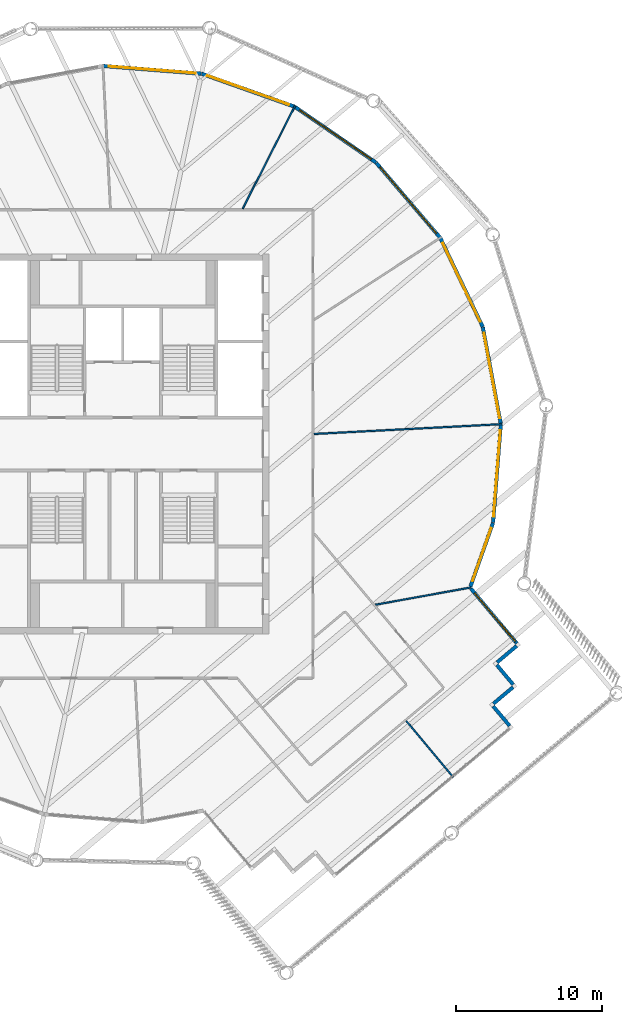
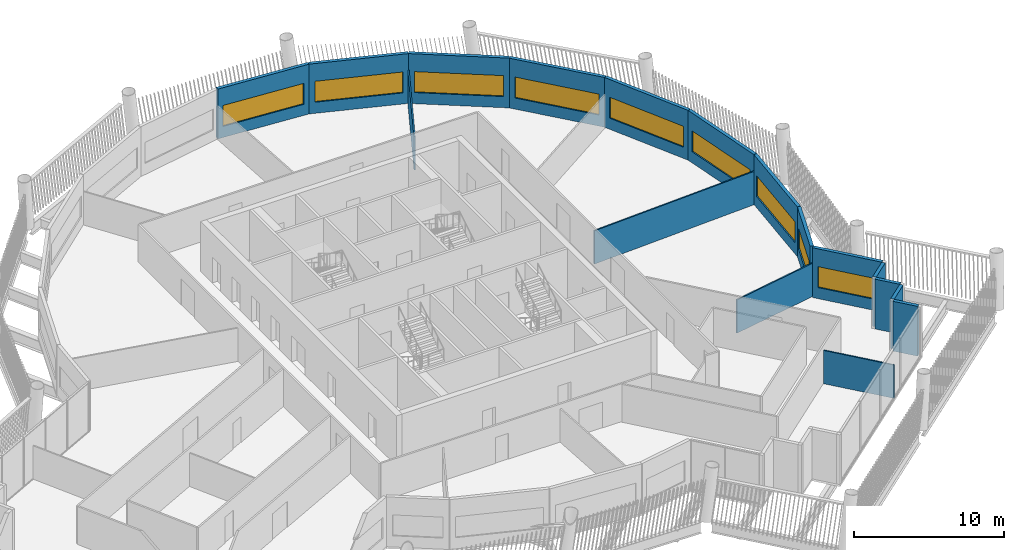
# One storey, part 23 of 31: 17 walls, 9 windows, 9 openings.
"""IFC4 building model written with IfcOpenShell, lengths in metres."""

from ifc_helpers import new_model, si_unit, direction, frame, frame_2d, origin, place, context, subcontext, project, spatial, rectangle, extrude, material, layer, layer_set, type_object, element, fill, save


model = new_model("IFC4")

# Units and contexts
model_context = context("Model", 3, precision=1e-05, world=origin(), true_north=direction((0.0, 1.0)))
body_context = subcontext(model_context, "Body", "Model", "MODEL_VIEW")
ifc_project = project(units=[si_unit("LENGTHUNIT", "METRE"), si_unit("AREAUNIT", "SQUARE_METRE"), si_unit("VOLUMEUNIT", "CUBIC_METRE"), si_unit("PLANEANGLEUNIT", "RADIAN"), si_unit("MASSUNIT", "GRAM", prefix="KILO")], contexts=[model_context])

# Site, building, storey
site_placement = place(None, origin())
site = spatial("IfcSite", under=ifc_project, at=site_placement, CompositionType="ELEMENT")
building_placement = place(site_placement, origin())
building = spatial("IfcBuilding", under=site, at=building_placement, Name="Tarsis Ring Headquarters", CompositionType="ELEMENT")
storey_placement = place(building_placement, frame((0.0, 0.0, 390.199951171875)))
storey = spatial("IfcBuildingStorey", under=building, at=storey_placement, Name="L92", CompositionType="ELEMENT", Elevation=390.199951171875)

# Walls
ifc_material_1 = material(Name="Gypsum board on steel studs", Category="steel")
ifc_layer_1 = layer(ifc_material_1, 0.10009765625)
ifc_layer_set_1 = layer_set([ifc_layer_1], Name="FL partition 100 unrated")
wall_type_1 = type_object("IfcWallType", Name="FL partition 100 unrated", PredefinedType="PARTITIONING", material=ifc_layer_set_1)
wall_1_placement = place(storey_placement, frame((13.06982421875, 0.68505859375, 0.0), z_axis=(0.0, 0.0, 1.0), x_axis=(0.998630334761, 0.052320688984, 0.0)))
element("IfcWall", 1, at=wall_1_placement, inside=storey, type_object=wall_type_1, Name="Partition PW3", PredefinedType="PARTITIONING", context=body_context, shape_type="SweptSolid", body=[
    extrude(rectangle(XDim=12.860107421875, YDim=0.10009765625, at=frame_2d((6.43017578125, 0.0))), origin(), (0.0, 0.0, 1.0), 2.699951171875),
])
wall_2_placement = place(storey_placement, frame((8.193359375, 16.080078125, 0.0), z_axis=(0.0, 0.0, 1.0), x_axis=(0.453974386458, 0.891014734132, 0.0)))
element("IfcWall", 2, at=wall_2_placement, inside=storey, type_object=wall_type_1, Name="Partition PW3", PredefinedType="PARTITIONING", context=body_context, shape_type="SweptSolid", body=[
    extrude(rectangle(XDim=7.900634765625, YDim=0.10009765625, at=frame_2d((3.9501953125, 0.0))), origin(), (0.0, 0.0, 1.0), 2.699951171875),
])
wall_3_placement = place(storey_placement, frame((17.268798828125, -10.982421875, 0.0), z_axis=(0.0, 0.0, 1.0), x_axis=(0.984040336098, 0.177945544853, 0.0)))
element("IfcWall", 3, at=wall_3_placement, inside=storey, type_object=wall_type_1, Name="Partition PW3", PredefinedType="PARTITIONING", context=body_context, shape_type="SweptSolid", body=[
    extrude(rectangle(XDim=6.62939453125, YDim=0.10009765625, at=frame_2d((3.314697265625, 0.0))), origin(), (0.0, 0.0, 1.0), 2.699951171875),
])
wall_4_placement = place(storey_placement, frame((19.368408203125, -18.9287109375, 0.0), z_axis=(0.0, 0.0, 1.0), x_axis=(0.64282213612, -0.766015470676, 0.0)))
element("IfcWall", 4, at=wall_4_placement, inside=storey, type_object=wall_type_1, Name="Partition PW3", PredefinedType="PARTITIONING", context=body_context, shape_type="SweptSolid", body=[
    extrude(rectangle(XDim=5.0, YDim=0.10009765625, at=frame_2d((2.5, 0.0))), origin(), (0.0, 0.0, 1.0), 2.699951171875),
])
ifc_material_2 = material(Name="Terracotta clad insulated panel wall", Category="masonry")
ifc_layer_2 = layer(ifc_material_2, 0.25)
ifc_layer_set_2 = layer_set([ifc_layer_2], Name="Facade wall terracotta panel 250")
wall_type_2 = type_object("IfcWallType", Name="Facade wall terracotta panel 250", PredefinedType="STANDARD", material=ifc_layer_set_2)
for number, where, z_axis, x_axis, name in (
    (5, (26.441162109375, -19.260009765625, 0.0), (0.0, 0.0, 1.0), (-0.642828861885, 0.766009826522, 0.0), "External wall L92-12"),
    (6, (25.33154296875, -17.7431640625, 0.0), (0.0, 0.0, 1.0), (0.766078521327, 0.642746994674, 0.0), "External wall L92-13"),
    (7, (26.6875, -16.4423828125, 0.0), (0.0, 0.0, 1.0), (-0.642746994674, 0.766078521327, 0.0), "External wall L92-14"),
    (8, (25.578125, -14.925537109375, 0.0), (0.0, 0.0, 1.0), (0.766078521327, 0.642746994674, 0.0), "External wall L92-15"),
):
    element("IfcWall", number, at=place(storey_placement, frame(where, z_axis=z_axis, x_axis=x_axis)), inside=storey, type_object=wall_type_2, Name=name, PredefinedType="STANDARD", context=body_context, shape_type="SweptSolid", body=[
        extrude(rectangle(XDim=1.75, YDim=0.25, at=frame_2d((0.875, 0.0))), origin(), (0.0, 0.0, 1.0), 4.0400390625),
    ])

# Wall, opening, window
wall_5_placement = place(storey_placement, frame((26.93408203125, -13.62451171875, 0.0), z_axis=(0.0, 0.0, 1.0), x_axis=(-0.642797135498, 0.766036449913, 0.0)))
wall_5 = element("IfcWall", 9, at=wall_5_placement, inside=storey, type_object=wall_type_2, Name="External wall L92-16", PredefinedType="STANDARD", context=body_context, shape_type="SweptSolid", body=[
    extrude(rectangle(XDim=4.901123046875, YDim=0.25, at=frame_2d((2.45068359375, 0.0))), origin(), (0.0, 0.0, 1.0), 4.0400390625),
])
opening_1_placement = place(wall_5_placement, frame((0.150634765625, 0.0, 0.89990234375)))
opening_1 = element("IfcOpeningElement", 10, at=opening_1_placement, cuts=wall_5, Name="Opening WN03", PredefinedType="OPENING", context=body_context, shape_type="SweptSolid", body=[
    extrude(rectangle(XDim=4.35009765625, YDim=1.699951171875, at=frame_2d((2.175048828125, 0.85009765625))), frame((0.0, 0.135009765625, 0.0), z_axis=(0.0, -1.0, 0.0), x_axis=(1.0, 0.0, 0.0)), (0.0, 0.0, 1.0), 0.27001953125),
])
ifc_material_3 = material(Name="Aluminium framed double glazing", Category="aluminium")
window_type_1 = type_object("IfcWindowType", Name="Facade window 4350 x 1700", PartitioningType="SINGLE_PANEL", PredefinedType="WINDOW", material=ifc_material_3)
window_1_placement = place(opening_1_placement, origin())
window_1 = element("IfcWindow", 11, at=window_1_placement, inside=storey, type_object=window_type_1, Name="Window L92-16.1", OverallHeight=1.699951171875, OverallWidth=4.35009765625, PartitioningType="SINGLE_PANEL", PredefinedType="WINDOW", context=body_context, shape_type="SweptSolid", body=[
    extrude(rectangle(XDim=4.35009765625, YDim=1.699951171875, at=frame_2d((2.175048828125, 0.85009765625))), frame((0.0, 0.030029296875, 0.0), z_axis=(0.0, -1.0, 0.0), x_axis=(1.0, 0.0, 0.0)), (0.0, 0.0, 1.0), 0.06005859375),
])
fill(opening_1, window_1)

wall_6_placement = place(storey_placement, frame((23.761474609375, -9.748046875, 0.0), z_axis=(0.0, 0.0, 1.0), x_axis=(0.333809952769, 0.942640395608, 0.0)))
wall_6 = element("IfcWall", 12, at=wall_6_placement, inside=storey, type_object=wall_type_2, Name="External wall L92-17", PredefinedType="STANDARD", context=body_context, shape_type="SweptSolid", body=[
    extrude(rectangle(XDim=4.617919921875, YDim=0.25, at=frame_2d((2.30908203125, 0.0))), origin(), (0.0, 0.0, 1.0), 4.0400390625),
])
opening_2_placement = place(wall_6_placement, frame((0.400390625, 0.0, 0.89990234375)))
opening_2 = element("IfcOpeningElement", 13, at=opening_2_placement, cuts=wall_6, Name="Opening WN02", PredefinedType="OPENING", context=body_context, shape_type="SweptSolid", body=[
    extrude(rectangle(XDim=3.85009765625, YDim=1.699951171875, at=frame_2d((1.925048828125, 0.85009765625))), frame((0.0, 0.135009765625, 0.0), z_axis=(0.0, -1.0, 0.0), x_axis=(1.0, 0.0, 0.0)), (0.0, 0.0, 1.0), 0.27001953125),
])
window_type_2 = type_object("IfcWindowType", Name="Facade window 3850 x 1700", PartitioningType="SINGLE_PANEL", PredefinedType="WINDOW", material=ifc_material_3)
window_2_placement = place(opening_2_placement, origin())
window_2 = element("IfcWindow", 14, at=window_2_placement, inside=storey, type_object=window_type_2, Name="Window L92-17.1", OverallHeight=1.699951171875, OverallWidth=3.85009765625, PartitioningType="SINGLE_PANEL", PredefinedType="WINDOW", context=body_context, shape_type="SweptSolid", body=[
    extrude(rectangle(XDim=3.85009765625, YDim=1.699951171875, at=frame_2d((1.925048828125, 0.85009765625))), frame((0.0, 0.030029296875, 0.0), z_axis=(0.0, -1.0, 0.0), x_axis=(1.0, 0.0, 0.0)), (0.0, 0.0, 1.0), 0.06005859375),
])
fill(opening_2, window_2)

wall_7_placement = place(storey_placement, frame((25.309814453125, -5.363037109375, 0.0), z_axis=(0.0, 0.0, 1.0), x_axis=(0.078457397419, 0.996917467391, 0.0)))
wall_7 = element("IfcWall", 15, at=wall_7_placement, inside=storey, type_object=wall_type_2, Name="External wall L92-18", PredefinedType="STANDARD", context=body_context, shape_type="SweptSolid", body=[
    extrude(rectangle(XDim=6.721435546875, YDim=0.25, at=frame_2d((3.36083984375, 0.0))), origin(), (0.0, 0.0, 1.0), 4.0400390625),
])
opening_3_placement = place(wall_7_placement, frame((0.3857421875, 0.0, 0.89990234375)))
opening_3 = element("IfcOpeningElement", 16, at=opening_3_placement, cuts=wall_7, Name="Opening WN07", PredefinedType="OPENING", context=body_context, shape_type="SweptSolid", body=[
    extrude(rectangle(XDim=5.949951171875, YDim=1.699951171875, at=frame_2d((2.97509765625, 0.85009765625))), frame((0.0, 0.135009765625, 0.0), z_axis=(0.0, -1.0, 0.0), x_axis=(1.0, 0.0, 0.0)), (0.0, 0.0, 1.0), 0.27001953125),
])
window_type_3 = type_object("IfcWindowType", Name="Facade window 5950 x 1700", PartitioningType="SINGLE_PANEL", PredefinedType="WINDOW", material=ifc_material_3)
window_3_placement = place(opening_3_placement, origin())
window_3 = element("IfcWindow", 17, at=window_3_placement, inside=storey, type_object=window_type_3, Name="Window L92-18.1", OverallHeight=1.699951171875, OverallWidth=5.949951171875, PartitioningType="SINGLE_PANEL", PredefinedType="WINDOW", context=body_context, shape_type="SweptSolid", body=[
    extrude(rectangle(XDim=5.949951171875, YDim=1.699951171875, at=frame_2d((2.97509765625, 0.85009765625))), frame((0.0, 0.030029296875, 0.0), z_axis=(0.0, -1.0, 0.0), x_axis=(1.0, 0.0, 0.0)), (0.0, 0.0, 1.0), 0.06005859375),
])
fill(opening_3, window_3)

wall_8_placement = place(storey_placement, frame((25.83544921875, 1.370361328125, 0.0), z_axis=(0.0, 0.0, 1.0), x_axis=(-0.182231032472, 0.983255740285, 0.0)))
wall_8 = element("IfcWall", 18, at=wall_8_placement, inside=storey, type_object=wall_type_2, Name="External wall L92-19", PredefinedType="STANDARD", context=body_context, shape_type="SweptSolid", body=[
    extrude(rectangle(XDim=6.721435546875, YDim=0.25, at=frame_2d((3.36083984375, 0.0))), origin(), (0.0, 0.0, 1.0), 4.0400390625),
])
opening_4_placement = place(wall_8_placement, frame((0.3857421875, 0.0, 0.89990234375)))
opening_4 = element("IfcOpeningElement", 19, at=opening_4_placement, cuts=wall_8, Name="Opening WN07", PredefinedType="OPENING", context=body_context, shape_type="SweptSolid", body=[
    extrude(rectangle(XDim=5.949951171875, YDim=1.699951171875, at=frame_2d((2.97509765625, 0.85009765625))), frame((0.0, 0.135009765625, 0.0), z_axis=(0.0, -1.0, 0.0), x_axis=(1.0, 0.0, 0.0)), (0.0, 0.0, 1.0), 0.27001953125),
])
window_4_placement = place(opening_4_placement, origin())
window_4 = element("IfcWindow", 20, at=window_4_placement, inside=storey, type_object=window_type_3, Name="Window L92-19.1", OverallHeight=1.699951171875, OverallWidth=5.949951171875, PartitioningType="SINGLE_PANEL", PredefinedType="WINDOW", context=body_context, shape_type="SweptSolid", body=[
    extrude(rectangle(XDim=5.949951171875, YDim=1.699951171875, at=frame_2d((2.97509765625, 0.85009765625))), frame((0.0, 0.030029296875, 0.0), z_axis=(0.0, -1.0, 0.0), x_axis=(1.0, 0.0, 0.0)), (0.0, 0.0, 1.0), 0.06005859375),
])
fill(opening_4, window_4)

wall_9_placement = place(storey_placement, frame((24.6005859375, 8.01025390625, 0.0), z_axis=(0.0, 0.0, 1.0), x_axis=(-0.430515772308, 0.902583054236, 0.0)))
wall_9 = element("IfcWall", 21, at=wall_9_placement, inside=storey, type_object=wall_type_2, Name="External wall L92-20", PredefinedType="STANDARD", context=body_context, shape_type="SweptSolid", body=[
    extrude(rectangle(XDim=6.7216796875, YDim=0.25, at=frame_2d((3.36083984375, 0.0))), origin(), (0.0, 0.0, 1.0), 4.0400390625),
])
opening_5_placement = place(wall_9_placement, frame((0.3857421875, 0.0, 0.89990234375)))
opening_5 = element("IfcOpeningElement", 22, at=opening_5_placement, cuts=wall_9, Name="Opening WN07", PredefinedType="OPENING", context=body_context, shape_type="SweptSolid", body=[
    extrude(rectangle(XDim=5.949951171875, YDim=1.699951171875, at=frame_2d((2.97509765625, 0.85009765625))), frame((0.0, 0.135009765625, 0.0), z_axis=(0.0, -1.0, 0.0), x_axis=(1.0, 0.0, 0.0)), (0.0, 0.0, 1.0), 0.27001953125),
])
window_5_placement = place(opening_5_placement, origin())
window_5 = element("IfcWindow", 23, at=window_5_placement, inside=storey, type_object=window_type_3, Name="Window L92-20.1", OverallHeight=1.699951171875, OverallWidth=5.949951171875, PartitioningType="SINGLE_PANEL", PredefinedType="WINDOW", context=body_context, shape_type="SweptSolid", body=[
    extrude(rectangle(XDim=5.949951171875, YDim=1.699951171875, at=frame_2d((2.97509765625, 0.85009765625))), frame((0.0, 0.030029296875, 0.0), z_axis=(0.0, -1.0, 0.0), x_axis=(1.0, 0.0, 0.0)), (0.0, 0.0, 1.0), 0.06005859375),
])
fill(opening_5, window_5)

wall_10_placement = place(storey_placement, frame((21.68896484375, 14.1044921875, 0.0), z_axis=(0.0, 0.0, 1.0), x_axis=(-0.649444285769, 0.760409179115, 0.0)))
wall_10 = element("IfcWall", 24, at=wall_10_placement, inside=storey, type_object=wall_type_2, Name="External wall L92-21", PredefinedType="STANDARD", context=body_context, shape_type="SweptSolid", body=[
    extrude(rectangle(XDim=6.721435546875, YDim=0.25, at=frame_2d((3.36083984375, 0.0))), origin(), (0.0, 0.0, 1.0), 4.0400390625),
])
opening_6_placement = place(wall_10_placement, frame((0.3857421875, 0.0, 0.89990234375)))
opening_6 = element("IfcOpeningElement", 25, at=opening_6_placement, cuts=wall_10, Name="Opening WN07", PredefinedType="OPENING", context=body_context, shape_type="SweptSolid", body=[
    extrude(rectangle(XDim=5.949951171875, YDim=1.699951171875, at=frame_2d((2.97509765625, 0.85009765625))), frame((0.0, 0.135009765625, 0.0), z_axis=(0.0, -1.0, 0.0), x_axis=(1.0, 0.0, 0.0)), (0.0, 0.0, 1.0), 0.27001953125),
])
window_6_placement = place(opening_6_placement, origin())
window_6 = element("IfcWindow", 26, at=window_6_placement, inside=storey, type_object=window_type_3, Name="Window L92-21.1", OverallHeight=1.699951171875, OverallWidth=5.949951171875, PartitioningType="SINGLE_PANEL", PredefinedType="WINDOW", context=body_context, shape_type="SweptSolid", body=[
    extrude(rectangle(XDim=5.949951171875, YDim=1.699951171875, at=frame_2d((2.97509765625, 0.85009765625))), frame((0.0, 0.030029296875, 0.0), z_axis=(0.0, -1.0, 0.0), x_axis=(1.0, 0.0, 0.0)), (0.0, 0.0, 1.0), 0.06005859375),
])
fill(opening_6, window_6)

wall_11_placement = place(storey_placement, frame((17.299560546875, 19.2373046875, 0.0), z_axis=(0.0, 0.0, 1.0), x_axis=(-0.824133054291, 0.566396247185, 0.0)))
wall_11 = element("IfcWall", 27, at=wall_11_placement, inside=storey, type_object=wall_type_2, Name="External wall L92-22", PredefinedType="STANDARD", context=body_context, shape_type="SweptSolid", body=[
    extrude(rectangle(XDim=6.7216796875, YDim=0.25, at=frame_2d((3.36083984375, 0.0))), origin(), (0.0, 0.0, 1.0), 4.0400390625),
])
opening_7_placement = place(wall_11_placement, frame((0.3857421875, 0.0, 0.89990234375)))
opening_7 = element("IfcOpeningElement", 28, at=opening_7_placement, cuts=wall_11, Name="Opening WN07", PredefinedType="OPENING", context=body_context, shape_type="SweptSolid", body=[
    extrude(rectangle(XDim=5.949951171875, YDim=1.699951171875, at=frame_2d((2.97509765625, 0.85009765625))), frame((0.0, 0.135009765625, 0.0), z_axis=(0.0, -1.0, 0.0), x_axis=(1.0, 0.0, 0.0)), (0.0, 0.0, 1.0), 0.27001953125),
])
window_7_placement = place(opening_7_placement, origin())
window_7 = element("IfcWindow", 29, at=window_7_placement, inside=storey, type_object=window_type_3, Name="Window L92-22.1", OverallHeight=1.699951171875, OverallWidth=5.949951171875, PartitioningType="SINGLE_PANEL", PredefinedType="WINDOW", context=body_context, shape_type="SweptSolid", body=[
    extrude(rectangle(XDim=5.949951171875, YDim=1.699951171875, at=frame_2d((2.97509765625, 0.85009765625))), frame((0.0, 0.030029296875, 0.0), z_axis=(0.0, -1.0, 0.0), x_axis=(1.0, 0.0, 0.0)), (0.0, 0.0, 1.0), 0.06005859375),
])
fill(opening_7, window_7)

wall_12_placement = place(storey_placement, frame((11.73095703125, 23.059326171875, 0.0), z_axis=(0.0, 0.0, 1.0), x_axis=(-0.942642464796, 0.333804109567, 0.0)))
wall_12 = element("IfcWall", 30, at=wall_12_placement, inside=storey, type_object=wall_type_2, Name="External wall L92-23", PredefinedType="STANDARD", context=body_context, shape_type="SweptSolid", body=[
    extrude(rectangle(XDim=6.721435546875, YDim=0.25, at=frame_2d((3.36083984375, 0.0))), origin(), (0.0, 0.0, 1.0), 4.0400390625),
])
opening_8_placement = place(wall_12_placement, frame((0.3857421875, 0.0, 0.89990234375)))
opening_8 = element("IfcOpeningElement", 31, at=opening_8_placement, cuts=wall_12, Name="Opening WN07", PredefinedType="OPENING", context=body_context, shape_type="SweptSolid", body=[
    extrude(rectangle(XDim=5.949951171875, YDim=1.699951171875, at=frame_2d((2.97509765625, 0.85009765625))), frame((0.0, 0.135009765625, 0.0), z_axis=(0.0, -1.0, 0.0), x_axis=(1.0, 0.0, 0.0)), (0.0, 0.0, 1.0), 0.27001953125),
])
window_8_placement = place(opening_8_placement, origin())
window_8 = element("IfcWindow", 32, at=window_8_placement, inside=storey, type_object=window_type_3, Name="Window L92-23.1", OverallHeight=1.699951171875, OverallWidth=5.949951171875, PartitioningType="SINGLE_PANEL", PredefinedType="WINDOW", context=body_context, shape_type="SweptSolid", body=[
    extrude(rectangle(XDim=5.949951171875, YDim=1.699951171875, at=frame_2d((2.97509765625, 0.85009765625))), frame((0.0, 0.030029296875, 0.0), z_axis=(0.0, -1.0, 0.0), x_axis=(1.0, 0.0, 0.0)), (0.0, 0.0, 1.0), 0.06005859375),
])
fill(opening_8, window_8)

wall_13_placement = place(storey_placement, frame((5.363037109375, 25.309814453125, 0.0), z_axis=(0.0, 0.0, 1.0), x_axis=(-0.996917467391, 0.078457397419, 0.0)))
wall_13 = element("IfcWall", 33, at=wall_13_placement, inside=storey, type_object=wall_type_2, Name="External wall L92-24", PredefinedType="STANDARD", context=body_context, shape_type="SweptSolid", body=[
    extrude(rectangle(XDim=6.721435546875, YDim=0.25, at=frame_2d((3.36083984375, 0.0))), origin(), (0.0, 0.0, 1.0), 4.0400390625),
])
opening_9_placement = place(wall_13_placement, frame((0.3857421875, 0.0, 0.89990234375)))
opening_9 = element("IfcOpeningElement", 34, at=opening_9_placement, cuts=wall_13, Name="Opening WN07", PredefinedType="OPENING", context=body_context, shape_type="SweptSolid", body=[
    extrude(rectangle(XDim=5.949951171875, YDim=1.699951171875, at=frame_2d((2.97509765625, 0.85009765625))), frame((0.0, 0.135009765625, 0.0), z_axis=(0.0, -1.0, 0.0), x_axis=(1.0, 0.0, 0.0)), (0.0, 0.0, 1.0), 0.27001953125),
])
window_9_placement = place(opening_9_placement, origin())
window_9 = element("IfcWindow", 35, at=window_9_placement, inside=storey, type_object=window_type_3, Name="Window L92-24.1", OverallHeight=1.699951171875, OverallWidth=5.949951171875, PartitioningType="SINGLE_PANEL", PredefinedType="WINDOW", context=body_context, shape_type="SweptSolid", body=[
    extrude(rectangle(XDim=5.949951171875, YDim=1.699951171875, at=frame_2d((2.97509765625, 0.85009765625))), frame((0.0, 0.030029296875, 0.0), z_axis=(0.0, -1.0, 0.0), x_axis=(1.0, 0.0, 0.0)), (0.0, 0.0, 1.0), 0.06005859375),
])
fill(opening_9, window_9)

save(model, "model.ifc")
